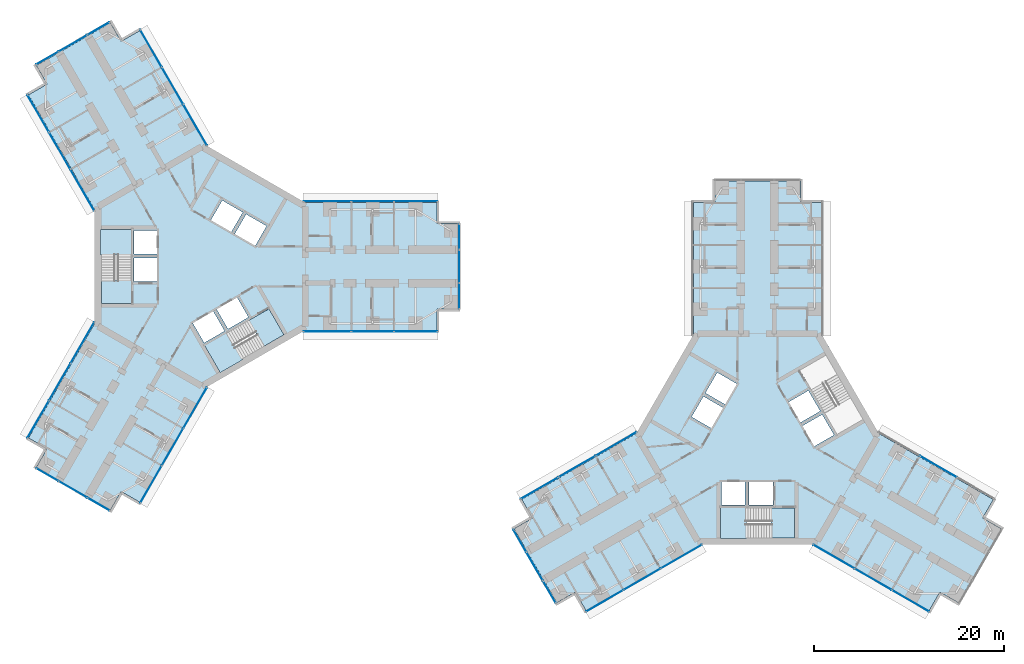
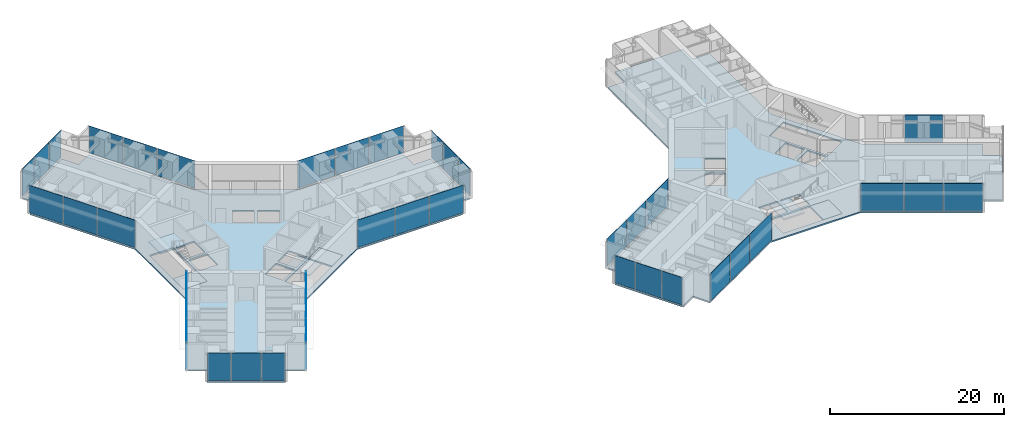
# One storey, part 14 of 24: 40 plates, 8 slabs, 17 elements without a shape of their own.
"""IFC4 building model written with IfcOpenShell, lengths in metres."""

from ifc_helpers import new_model, si_unit, direction, frame, origin, origin_2d, place, context, subcontext, project, spatial, polyline, rectangle, outline, extrude, material, layer, layer_set, type_object, element, aggregate, save


model = new_model("IFC4")

# Units and contexts
model_context = context("Model", 3, precision=1e-05, world=origin(), true_north=direction((0.0, 1.0)))
body_context = subcontext(model_context, "Body", "Model", "MODEL_VIEW")
ifc_project = project(units=[si_unit("LENGTHUNIT", "METRE"), si_unit("AREAUNIT", "SQUARE_METRE"), si_unit("VOLUMEUNIT", "CUBIC_METRE"), si_unit("PLANEANGLEUNIT", "RADIAN"), si_unit("MASSUNIT", "GRAM", prefix="KILO")], contexts=[model_context])

# Site, building, storey
site_placement = place(None, origin())
site = spatial("IfcSite", under=ifc_project, at=site_placement, CompositionType="ELEMENT")
building_placement = place(site_placement, origin())
building = spatial("IfcBuilding", under=site, at=building_placement, Name="Upepo Twin Towers", CompositionType="ELEMENT")
storey_placement = place(building_placement, frame((0.0, 0.0, 68.5)))
storey = spatial("IfcBuildingStorey", under=building, at=storey_placement, Name="L16", CompositionType="ELEMENT", Elevation=68.5)

# Curtain wall, plates
ifc_material_1 = material(Name="Aluminium and fritted glass", Category="aluminium")
curtain_wall_type = type_object("IfcCurtainWallType", Name="Tower curtain wall TW1, fritted glass", PredefinedType="NOTDEFINED", material=ifc_material_1)
curtain_wall_1_placement = place(storey_placement, origin())
curtain_wall_1 = element("IfcCurtainWall", 1, at=curtain_wall_1_placement, inside=storey, type_object=curtain_wall_type, Name="T1 L16 wing A flank L curtain wall", PredefinedType="NOTDEFINED")
ifc_material_2 = material(Name="Ceramic-fritted laminated glass", Category="glass")
ifc_layer_1 = layer(ifc_material_2, 0.031982421875)
ifc_layer_set_1 = layer_set([ifc_layer_1], Name="Fritted glass panel, 25 per cent dot frit, 32 mm double glazed")
plate_type_1 = type_object("IfcPlateType", Name="Fritted glass panel, 25 per cent dot frit, 32 mm double glazed", PredefinedType="CURTAIN_PANEL", material=ifc_layer_set_1)
plate_1_placement = place(storey_placement, frame((13.23486328125, 6.85009765625, 0.14990234375), z_axis=(0.0, 0.0, 1.0), x_axis=(1.0, 0.0, 0.0)))
plate_1 = element("IfcPlate", 2, at=plate_1_placement, type_object=plate_type_1, Name="T1 L16 wing A flank L curtain wall panel 1", PredefinedType="CURTAIN_PANEL", context=body_context, shape_type="SweptSolid", body=[
    extrude(rectangle(XDim=4.96533203125, YDim=0.031982421875, at=origin_2d()), origin(), (0.0, 0.0, 1.0), 3.85009765625),
])
plate_2_placement = place(storey_placement, frame((18.0, 6.85009765625, 0.14990234375), z_axis=(0.0, 0.0, 1.0), x_axis=(1.0, 0.0, 0.0)))
plate_2 = element("IfcPlate", 3, at=plate_2_placement, type_object=plate_type_1, Name="T1 L16 wing A flank L curtain wall panel 2", PredefinedType="CURTAIN_PANEL", context=body_context, shape_type="SweptSolid", body=[
    extrude(rectangle(XDim=4.43505859375, YDim=0.031982421875, at=origin_2d()), origin(), (0.0, 0.0, 1.0), 3.85009765625),
])
plate_3_placement = place(storey_placement, frame((22.53369140625, 6.85009765625, 0.14990234375), z_axis=(0.0, 0.0, 1.0), x_axis=(1.0, 0.0, 0.0)))
plate_3 = element("IfcPlate", 4, at=plate_3_placement, type_object=plate_type_1, Name="T1 L16 wing A flank L curtain wall panel 3", PredefinedType="CURTAIN_PANEL", context=body_context, shape_type="SweptSolid", body=[
    extrude(rectangle(XDim=4.50244140625, YDim=0.031982421875, at=origin_2d()), origin(), (0.0, 0.0, 1.0), 3.85009765625),
])
aggregate(curtain_wall_1, [plate_1, plate_2, plate_3])

curtain_wall_2_placement = place(storey_placement, origin())
curtain_wall_2 = element("IfcCurtainWall", 5, at=curtain_wall_2_placement, inside=storey, type_object=curtain_wall_type, Name="T1 L16 wing A flank R curtain wall", PredefinedType="NOTDEFINED")
plate_4_placement = place(storey_placement, frame((22.53369140625, -6.85009765625, 0.14990234375), z_axis=(0.0, 0.0, 1.0), x_axis=(-1.0, 0.0, 0.0)))
plate_4 = element("IfcPlate", 6, at=plate_4_placement, type_object=plate_type_1, Name="T1 L16 wing A flank R curtain wall panel 1", PredefinedType="CURTAIN_PANEL", context=body_context, shape_type="SweptSolid", body=[
    extrude(rectangle(XDim=4.50244140625, YDim=0.031982421875, at=origin_2d()), origin(), (0.0, 0.0, 1.0), 3.85009765625),
])
plate_5_placement = place(storey_placement, frame((18.0, -6.85009765625, 0.14990234375), z_axis=(0.0, 0.0, 1.0), x_axis=(-1.0, 0.0, 0.0)))
plate_5 = element("IfcPlate", 7, at=plate_5_placement, type_object=plate_type_1, Name="T1 L16 wing A flank R curtain wall panel 2", PredefinedType="CURTAIN_PANEL", context=body_context, shape_type="SweptSolid", body=[
    extrude(rectangle(XDim=4.43505859375, YDim=0.031982421875, at=origin_2d()), origin(), (0.0, 0.0, 1.0), 3.85009765625),
])
plate_6_placement = place(storey_placement, frame((13.23486328125, -6.85009765625, 0.14990234375), z_axis=(0.0, 0.0, 1.0), x_axis=(-1.0, 0.0, 0.0)))
plate_6 = element("IfcPlate", 8, at=plate_6_placement, type_object=plate_type_1, Name="T1 L16 wing A flank R curtain wall panel 3", PredefinedType="CURTAIN_PANEL", context=body_context, shape_type="SweptSolid", body=[
    extrude(rectangle(XDim=4.96533203125, YDim=0.031982421875, at=origin_2d()), origin(), (0.0, 0.0, 1.0), 3.85009765625),
])
aggregate(curtain_wall_2, [plate_4, plate_5, plate_6])

# Curtain wall, plate
curtain_wall_3_placement = place(storey_placement, origin())
curtain_wall_3 = element("IfcCurtainWall", 9, at=curtain_wall_3_placement, inside=storey, type_object=curtain_wall_type, Name="T1 L16 wing A nose curtain wall", PredefinedType="NOTDEFINED")
plate_7_placement = place(storey_placement, frame((27.10009765625, 0.0, 0.14990234375), z_axis=(0.0, 0.0, 1.0), x_axis=(0.0, 1.0, 0.0)))
plate_7 = element("IfcPlate", 10, at=plate_7_placement, type_object=plate_type_1, Name="T1 L16 wing A nose curtain wall panel 2", PredefinedType="CURTAIN_PANEL", context=body_context, shape_type="SweptSolid", body=[
    extrude(rectangle(XDim=3.43505859375, YDim=0.031982421875, at=origin_2d()), origin(), (0.0, 0.0, 1.0), 3.85009765625),
])

# Curtain wall, plates
curtain_wall_4_placement = place(storey_placement, origin())
curtain_wall_4 = element("IfcCurtainWall", 11, at=curtain_wall_4_placement, inside=storey, type_object=curtain_wall_type, Name="T1 L16 wing B flank L curtain wall", PredefinedType="NOTDEFINED")
plate_8_placement = place(storey_placement, frame((-12.549560546875, 8.03662109375, 0.14990234375), z_axis=(0.0, 0.0, 1.0), x_axis=(-0.500000024426, 0.866025389682, 0.0)))
plate_8 = element("IfcPlate", 12, at=plate_8_placement, type_object=plate_type_1, Name="T1 L16 wing B flank L curtain wall panel 1", PredefinedType="CURTAIN_PANEL", context=body_context, shape_type="SweptSolid", body=[
    extrude(rectangle(XDim=4.96533203125, YDim=0.031982421875, at=origin_2d()), origin(), (0.0, 0.0, 1.0), 3.85009765625),
])
plate_9_placement = place(storey_placement, frame((-14.932373046875, 12.16357421875, 0.14990234375), z_axis=(0.0, 0.0, 1.0), x_axis=(-0.500000024426, 0.866025389682, 0.0)))
plate_9 = element("IfcPlate", 13, at=plate_9_placement, type_object=plate_type_1, Name="T1 L16 wing B flank L curtain wall panel 2", PredefinedType="CURTAIN_PANEL", context=body_context, shape_type="SweptSolid", body=[
    extrude(rectangle(XDim=4.43505859375, YDim=0.031982421875, at=origin_2d()), origin(), (0.0, 0.0, 1.0), 3.85009765625),
])
plate_10_placement = place(storey_placement, frame((-17.19921875, 16.08984375, 0.14990234375), z_axis=(0.0, 0.0, 1.0), x_axis=(-0.500000024426, 0.866025389682, 0.0)))
plate_10 = element("IfcPlate", 14, at=plate_10_placement, type_object=plate_type_1, Name="T1 L16 wing B flank L curtain wall panel 3", PredefinedType="CURTAIN_PANEL", context=body_context, shape_type="SweptSolid", body=[
    extrude(rectangle(XDim=4.50244140625, YDim=0.031982421875, at=origin_2d()), origin(), (0.0, 0.0, 1.0), 3.85009765625),
])
aggregate(curtain_wall_4, [plate_8, plate_9, plate_10])

curtain_wall_5_placement = place(storey_placement, origin())
curtain_wall_5 = element("IfcCurtainWall", 15, at=curtain_wall_5_placement, inside=storey, type_object=curtain_wall_type, Name="T1 L16 wing B flank R curtain wall", PredefinedType="NOTDEFINED")
plate_11_placement = place(storey_placement, frame((-5.334716796875, 22.939697265625, 0.14990234375), z_axis=(0.0, 0.0, 1.0), x_axis=(0.500000024426, -0.866025389682, 0.0)))
plate_11 = element("IfcPlate", 16, at=plate_11_placement, type_object=plate_type_1, Name="T1 L16 wing B flank R curtain wall panel 1", PredefinedType="CURTAIN_PANEL", context=body_context, shape_type="SweptSolid", body=[
    extrude(rectangle(XDim=4.50244140625, YDim=0.031982421875, at=origin_2d()), origin(), (0.0, 0.0, 1.0), 3.85009765625),
])
plate_12_placement = place(storey_placement, frame((-3.067626953125, 19.013427734375, 0.14990234375), z_axis=(0.0, 0.0, 1.0), x_axis=(0.500000024426, -0.866025389682, 0.0)))
plate_12 = element("IfcPlate", 17, at=plate_12_placement, type_object=plate_type_1, Name="T1 L16 wing B flank R curtain wall panel 2", PredefinedType="CURTAIN_PANEL", context=body_context, shape_type="SweptSolid", body=[
    extrude(rectangle(XDim=4.43505859375, YDim=0.031982421875, at=origin_2d()), origin(), (0.0, 0.0, 1.0), 3.85009765625),
])
plate_13_placement = place(storey_placement, frame((-0.68505859375, 14.88671875, 0.14990234375), z_axis=(0.0, 0.0, 1.0), x_axis=(0.500000024426, -0.866025389682, 0.0)))
plate_13 = element("IfcPlate", 18, at=plate_13_placement, type_object=plate_type_1, Name="T1 L16 wing B flank R curtain wall panel 3", PredefinedType="CURTAIN_PANEL", context=body_context, shape_type="SweptSolid", body=[
    extrude(rectangle(XDim=4.96533203125, YDim=0.031982421875, at=origin_2d()), origin(), (0.0, 0.0, 1.0), 3.85009765625),
])
aggregate(curtain_wall_5, [plate_11, plate_12, plate_13])

# Curtain wall, plate
curtain_wall_6_placement = place(storey_placement, origin())
curtain_wall_6 = element("IfcCurtainWall", 19, at=curtain_wall_6_placement, inside=storey, type_object=curtain_wall_type, Name="T1 L16 wing B nose curtain wall", PredefinedType="NOTDEFINED")
plate_14_placement = place(storey_placement, frame((-13.550048828125, 23.46923828125, 0.14990234375), z_axis=(0.0, 0.0, 1.0), x_axis=(-0.866025386174, -0.500000030502, 0.0)))
plate_14 = element("IfcPlate", 20, at=plate_14_placement, type_object=plate_type_1, Name="T1 L16 wing B nose curtain wall panel 2", PredefinedType="CURTAIN_PANEL", context=body_context, shape_type="SweptSolid", body=[
    extrude(rectangle(XDim=3.43505859375, YDim=0.031982421875, at=origin_2d()), origin(), (0.0, 0.0, 1.0), 3.85009765625),
])

# Curtain wall, plates
curtain_wall_7_placement = place(storey_placement, origin())
curtain_wall_7 = element("IfcCurtainWall", 21, at=curtain_wall_7_placement, inside=storey, type_object=curtain_wall_type, Name="T1 L16 wing C flank L curtain wall", PredefinedType="NOTDEFINED")
plate_15_placement = place(storey_placement, frame((-0.68505859375, -14.88671875, 0.14990234375), z_axis=(0.0, 0.0, 1.0), x_axis=(-0.500000024426, -0.866025389682, 0.0)))
plate_15 = element("IfcPlate", 22, at=plate_15_placement, type_object=plate_type_1, Name="T1 L16 wing C flank L curtain wall panel 1", PredefinedType="CURTAIN_PANEL", context=body_context, shape_type="SweptSolid", body=[
    extrude(rectangle(XDim=4.96533203125, YDim=0.031982421875, at=origin_2d()), origin(), (0.0, 0.0, 1.0), 3.85009765625),
])
plate_16_placement = place(storey_placement, frame((-3.067626953125, -19.013427734375, 0.14990234375), z_axis=(0.0, 0.0, 1.0), x_axis=(-0.500000024426, -0.866025389682, 0.0)))
plate_16 = element("IfcPlate", 23, at=plate_16_placement, type_object=plate_type_1, Name="T1 L16 wing C flank L curtain wall panel 2", PredefinedType="CURTAIN_PANEL", context=body_context, shape_type="SweptSolid", body=[
    extrude(rectangle(XDim=4.43505859375, YDim=0.031982421875, at=origin_2d()), origin(), (0.0, 0.0, 1.0), 3.85009765625),
])
plate_17_placement = place(storey_placement, frame((-5.334716796875, -22.939697265625, 0.14990234375), z_axis=(0.0, 0.0, 1.0), x_axis=(-0.500000024426, -0.866025389682, 0.0)))
plate_17 = element("IfcPlate", 24, at=plate_17_placement, type_object=plate_type_1, Name="T1 L16 wing C flank L curtain wall panel 3", PredefinedType="CURTAIN_PANEL", context=body_context, shape_type="SweptSolid", body=[
    extrude(rectangle(XDim=4.50244140625, YDim=0.031982421875, at=origin_2d()), origin(), (0.0, 0.0, 1.0), 3.85009765625),
])
aggregate(curtain_wall_7, [plate_15, plate_16, plate_17])

curtain_wall_8_placement = place(storey_placement, origin())
curtain_wall_8 = element("IfcCurtainWall", 25, at=curtain_wall_8_placement, inside=storey, type_object=curtain_wall_type, Name="T1 L16 wing C flank R curtain wall", PredefinedType="NOTDEFINED")
plate_18_placement = place(storey_placement, frame((-17.19921875, -16.08984375, 0.14990234375), z_axis=(0.0, 0.0, 1.0), x_axis=(0.500000024426, 0.866025389682, 0.0)))
plate_18 = element("IfcPlate", 26, at=plate_18_placement, type_object=plate_type_1, Name="T1 L16 wing C flank R curtain wall panel 1", PredefinedType="CURTAIN_PANEL", context=body_context, shape_type="SweptSolid", body=[
    extrude(rectangle(XDim=4.50244140625, YDim=0.031982421875, at=origin_2d()), origin(), (0.0, 0.0, 1.0), 3.85009765625),
])
plate_19_placement = place(storey_placement, frame((-14.932373046875, -12.16357421875, 0.14990234375), z_axis=(0.0, 0.0, 1.0), x_axis=(0.500000024426, 0.866025389682, 0.0)))
plate_19 = element("IfcPlate", 27, at=plate_19_placement, type_object=plate_type_1, Name="T1 L16 wing C flank R curtain wall panel 2", PredefinedType="CURTAIN_PANEL", context=body_context, shape_type="SweptSolid", body=[
    extrude(rectangle(XDim=4.43505859375, YDim=0.031982421875, at=origin_2d()), origin(), (0.0, 0.0, 1.0), 3.85009765625),
])
plate_20_placement = place(storey_placement, frame((-12.549560546875, -8.03662109375, 0.14990234375), z_axis=(0.0, 0.0, 1.0), x_axis=(0.500000024426, 0.866025389682, 0.0)))
plate_20 = element("IfcPlate", 28, at=plate_20_placement, type_object=plate_type_1, Name="T1 L16 wing C flank R curtain wall panel 3", PredefinedType="CURTAIN_PANEL", context=body_context, shape_type="SweptSolid", body=[
    extrude(rectangle(XDim=4.96533203125, YDim=0.031982421875, at=origin_2d()), origin(), (0.0, 0.0, 1.0), 3.85009765625),
])
aggregate(curtain_wall_8, [plate_18, plate_19, plate_20])

# Curtain wall, plate
curtain_wall_9_placement = place(storey_placement, origin())
curtain_wall_9 = element("IfcCurtainWall", 29, at=curtain_wall_9_placement, inside=storey, type_object=curtain_wall_type, Name="T1 L16 wing C nose curtain wall", PredefinedType="NOTDEFINED")
plate_21_placement = place(storey_placement, frame((-13.550048828125, -23.46923828125, 0.14990234375), z_axis=(0.0, 0.0, 1.0), x_axis=(0.866025386174, -0.500000030502, 0.0)))
plate_21 = element("IfcPlate", 30, at=plate_21_placement, type_object=plate_type_1, Name="T1 L16 wing C nose curtain wall panel 2", PredefinedType="CURTAIN_PANEL", context=body_context, shape_type="SweptSolid", body=[
    extrude(rectangle(XDim=3.43505859375, YDim=0.031982421875, at=origin_2d()), origin(), (0.0, 0.0, 1.0), 3.85009765625),
])

# Curtain wall, plates
curtain_wall_10_placement = place(storey_placement, origin())
curtain_wall_10 = element("IfcCurtainWall", 31, at=curtain_wall_10_placement, inside=storey, type_object=curtain_wall_type, Name="T2 L16 wing B flank L curtain wall", PredefinedType="NOTDEFINED")
plate_22_placement = place(storey_placement, frame((50.46337890625, -30.549560546875, 0.14990234375), z_axis=(0.0, 0.0, 1.0), x_axis=(-0.866025389682, -0.500000024426, 0.0)))
plate_22 = element("IfcPlate", 32, at=plate_22_placement, type_object=plate_type_1, Name="T2 L16 wing B flank L curtain wall panel 1", PredefinedType="CURTAIN_PANEL", context=body_context, shape_type="SweptSolid", body=[
    extrude(rectangle(XDim=4.96533203125, YDim=0.031982421875, at=origin_2d()), origin(), (0.0, 0.0, 1.0), 3.85009765625),
])
plate_23_placement = place(storey_placement, frame((46.33642578125, -32.932373046875, 0.14990234375), z_axis=(0.0, 0.0, 1.0), x_axis=(-0.866025389682, -0.500000024426, 0.0)))
plate_23 = element("IfcPlate", 33, at=plate_23_placement, type_object=plate_type_1, Name="T2 L16 wing B flank L curtain wall panel 2", PredefinedType="CURTAIN_PANEL", context=body_context, shape_type="SweptSolid", body=[
    extrude(rectangle(XDim=4.43505859375, YDim=0.031982421875, at=origin_2d()), origin(), (0.0, 0.0, 1.0), 3.85009765625),
])
plate_24_placement = place(storey_placement, frame((42.41015625, -35.19921875, 0.14990234375), z_axis=(0.0, 0.0, 1.0), x_axis=(-0.866025389682, -0.500000024426, 0.0)))
plate_24 = element("IfcPlate", 34, at=plate_24_placement, type_object=plate_type_1, Name="T2 L16 wing B flank L curtain wall panel 3", PredefinedType="CURTAIN_PANEL", context=body_context, shape_type="SweptSolid", body=[
    extrude(rectangle(XDim=4.50244140625, YDim=0.031982421875, at=origin_2d()), origin(), (0.0, 0.0, 1.0), 3.85009765625),
])
aggregate(curtain_wall_10, [plate_22, plate_23, plate_24])

curtain_wall_11_placement = place(storey_placement, origin())
curtain_wall_11 = element("IfcCurtainWall", 35, at=curtain_wall_11_placement, inside=storey, type_object=curtain_wall_type, Name="T2 L16 wing B flank R curtain wall", PredefinedType="NOTDEFINED")
plate_25_placement = place(storey_placement, frame((35.560302734375, -23.334716796875, 0.14990234375), z_axis=(0.0, 0.0, 1.0), x_axis=(0.866025389682, 0.500000024426, 0.0)))
plate_25 = element("IfcPlate", 36, at=plate_25_placement, type_object=plate_type_1, Name="T2 L16 wing B flank R curtain wall panel 1", PredefinedType="CURTAIN_PANEL", context=body_context, shape_type="SweptSolid", body=[
    extrude(rectangle(XDim=4.50244140625, YDim=0.031982421875, at=origin_2d()), origin(), (0.0, 0.0, 1.0), 3.85009765625),
])
plate_26_placement = place(storey_placement, frame((39.486572265625, -21.067626953125, 0.14990234375), z_axis=(0.0, 0.0, 1.0), x_axis=(0.866025389682, 0.500000024426, 0.0)))
plate_26 = element("IfcPlate", 37, at=plate_26_placement, type_object=plate_type_1, Name="T2 L16 wing B flank R curtain wall panel 2", PredefinedType="CURTAIN_PANEL", context=body_context, shape_type="SweptSolid", body=[
    extrude(rectangle(XDim=4.43505859375, YDim=0.031982421875, at=origin_2d()), origin(), (0.0, 0.0, 1.0), 3.85009765625),
])
plate_27_placement = place(storey_placement, frame((43.61328125, -18.68505859375, 0.14990234375), z_axis=(0.0, 0.0, 1.0), x_axis=(0.866025389682, 0.500000024426, 0.0)))
plate_27 = element("IfcPlate", 38, at=plate_27_placement, type_object=plate_type_1, Name="T2 L16 wing B flank R curtain wall panel 3", PredefinedType="CURTAIN_PANEL", context=body_context, shape_type="SweptSolid", body=[
    extrude(rectangle(XDim=4.96533203125, YDim=0.031982421875, at=origin_2d()), origin(), (0.0, 0.0, 1.0), 3.85009765625),
])
aggregate(curtain_wall_11, [plate_25, plate_26, plate_27])

# Curtain wall, plate
curtain_wall_12_placement = place(storey_placement, origin())
curtain_wall_12 = element("IfcCurtainWall", 39, at=curtain_wall_12_placement, inside=storey, type_object=curtain_wall_type, Name="T2 L16 wing B nose curtain wall", PredefinedType="NOTDEFINED")
plate_28_placement = place(storey_placement, frame((35.03076171875, -31.550048828125, 0.14990234375), z_axis=(0.0, 0.0, 1.0), x_axis=(0.500000030502, -0.866025386174, 0.0)))
plate_28 = element("IfcPlate", 40, at=plate_28_placement, type_object=plate_type_1, Name="T2 L16 wing B nose curtain wall panel 2", PredefinedType="CURTAIN_PANEL", context=body_context, shape_type="SweptSolid", body=[
    extrude(rectangle(XDim=3.43505859375, YDim=0.031982421875, at=origin_2d()), origin(), (0.0, 0.0, 1.0), 3.85009765625),
])

curtain_wall_13_placement = place(storey_placement, origin())
curtain_wall_13 = element("IfcCurtainWall", 41, at=curtain_wall_13_placement, inside=storey, type_object=curtain_wall_type, Name="T2 L16 wing C flank L curtain wall", PredefinedType="NOTDEFINED")
plate_29_placement = place(storey_placement, frame((77.513427734375, -21.067626953125, 0.14990234375), z_axis=(0.0, 0.0, 1.0), x_axis=(0.866025389682, -0.500000024426, 0.0)))
plate_29 = element("IfcPlate", 42, at=plate_29_placement, type_object=plate_type_1, Name="T2 L16 wing C flank L curtain wall panel 2", PredefinedType="CURTAIN_PANEL", context=body_context, shape_type="SweptSolid", body=[
    extrude(rectangle(XDim=4.43505859375, YDim=0.031982421875, at=origin_2d()), origin(), (0.0, 0.0, 1.0), 3.85009765625),
])
aggregate(curtain_wall_13, [plate_29])

# Curtain wall, plates
curtain_wall_14_placement = place(storey_placement, origin())
curtain_wall_14 = element("IfcCurtainWall", 43, at=curtain_wall_14_placement, inside=storey, type_object=curtain_wall_type, Name="T2 L16 wing C flank R curtain wall", PredefinedType="NOTDEFINED")
plate_30_placement = place(storey_placement, frame((74.58984375, -35.19921875, 0.14990234375), z_axis=(0.0, 0.0, 1.0), x_axis=(-0.866025389682, 0.500000024426, 0.0)))
plate_30 = element("IfcPlate", 44, at=plate_30_placement, type_object=plate_type_1, Name="T2 L16 wing C flank R curtain wall panel 1", PredefinedType="CURTAIN_PANEL", context=body_context, shape_type="SweptSolid", body=[
    extrude(rectangle(XDim=4.50244140625, YDim=0.031982421875, at=origin_2d()), origin(), (0.0, 0.0, 1.0), 3.85009765625),
])
plate_31_placement = place(storey_placement, frame((70.66357421875, -32.932373046875, 0.14990234375), z_axis=(0.0, 0.0, 1.0), x_axis=(-0.866025389682, 0.500000024426, 0.0)))
plate_31 = element("IfcPlate", 45, at=plate_31_placement, type_object=plate_type_1, Name="T2 L16 wing C flank R curtain wall panel 2", PredefinedType="CURTAIN_PANEL", context=body_context, shape_type="SweptSolid", body=[
    extrude(rectangle(XDim=4.43505859375, YDim=0.031982421875, at=origin_2d()), origin(), (0.0, 0.0, 1.0), 3.85009765625),
])
plate_32_placement = place(storey_placement, frame((66.53662109375, -30.549560546875, 0.14990234375), z_axis=(0.0, 0.0, 1.0), x_axis=(-0.866025389682, 0.500000024426, 0.0)))
plate_32 = element("IfcPlate", 46, at=plate_32_placement, type_object=plate_type_1, Name="T2 L16 wing C flank R curtain wall panel 3", PredefinedType="CURTAIN_PANEL", context=body_context, shape_type="SweptSolid", body=[
    extrude(rectangle(XDim=4.96533203125, YDim=0.031982421875, at=origin_2d()), origin(), (0.0, 0.0, 1.0), 3.85009765625),
])
aggregate(curtain_wall_14, [plate_30, plate_31, plate_32])

# Plate
ifc_material_3 = material(Name="Clear laminated glass in opening sash", Category="glass")
ifc_layer_2 = layer(ifc_material_3, 0.031982421875)
ifc_layer_set_2 = layer_set([ifc_layer_2], Name="Operable glass panel, 32 mm double glazed")
plate_type_2 = type_object("IfcPlateType", Name="Operable glass panel, 32 mm double glazed", PredefinedType="CURTAIN_PANEL", material=ifc_layer_set_2)
plate_33_placement = place(storey_placement, frame((27.10009765625, -3.108642578125, 0.14990234375), z_axis=(0.0, 0.0, 1.0), x_axis=(0.0, 1.0, 0.0)))
plate_33 = element("IfcPlate", 47, at=plate_33_placement, type_object=plate_type_2, Name="T1 L16 wing A nose curtain wall panel 1", PredefinedType="CURTAIN_PANEL", context=body_context, shape_type="SweptSolid", body=[
    extrude(rectangle(XDim=2.652587890625, YDim=0.031982421875, at=origin_2d()), origin(), (0.0, 0.0, 1.0), 3.85009765625),
])

plate_34_placement = place(storey_placement, frame((27.10009765625, 3.108642578125, 0.14990234375), z_axis=(0.0, 0.0, 1.0), x_axis=(0.0, 1.0, 0.0)))
plate_34 = element("IfcPlate", 48, at=plate_34_placement, type_object=plate_type_2, Name="T1 L16 wing A nose curtain wall panel 3", PredefinedType="CURTAIN_PANEL", context=body_context, shape_type="SweptSolid", body=[
    extrude(rectangle(XDim=2.652587890625, YDim=0.031982421875, at=origin_2d()), origin(), (0.0, 0.0, 1.0), 3.85009765625),
])

aggregate(curtain_wall_3, [plate_33, plate_7, plate_34])

plate_35_placement = place(storey_placement, frame((-10.857666015625, 25.023681640625, 0.14990234375), z_axis=(0.0, 0.0, 1.0), x_axis=(-0.866025386174, -0.500000030502, 0.0)))
plate_35 = element("IfcPlate", 49, at=plate_35_placement, type_object=plate_type_2, Name="T1 L16 wing B nose curtain wall panel 1", PredefinedType="CURTAIN_PANEL", context=body_context, shape_type="SweptSolid", body=[
    extrude(rectangle(XDim=2.652587890625, YDim=0.031982421875, at=origin_2d()), origin(), (0.0, 0.0, 1.0), 3.85009765625),
])

plate_36_placement = place(storey_placement, frame((-16.2421875, 21.914794921875, 0.14990234375), z_axis=(0.0, 0.0, 1.0), x_axis=(-0.866025386174, -0.500000030502, 0.0)))
plate_36 = element("IfcPlate", 50, at=plate_36_placement, type_object=plate_type_2, Name="T1 L16 wing B nose curtain wall panel 3", PredefinedType="CURTAIN_PANEL", context=body_context, shape_type="SweptSolid", body=[
    extrude(rectangle(XDim=2.652587890625, YDim=0.031982421875, at=origin_2d()), origin(), (0.0, 0.0, 1.0), 3.85009765625),
])

aggregate(curtain_wall_6, [plate_35, plate_14, plate_36])

plate_37_placement = place(storey_placement, frame((-16.2421875, -21.914794921875, 0.14990234375), z_axis=(0.0, 0.0, 1.0), x_axis=(0.866025386174, -0.500000030502, 0.0)))
plate_37 = element("IfcPlate", 51, at=plate_37_placement, type_object=plate_type_2, Name="T1 L16 wing C nose curtain wall panel 1", PredefinedType="CURTAIN_PANEL", context=body_context, shape_type="SweptSolid", body=[
    extrude(rectangle(XDim=2.652587890625, YDim=0.031982421875, at=origin_2d()), origin(), (0.0, 0.0, 1.0), 3.85009765625),
])

plate_38_placement = place(storey_placement, frame((-10.857666015625, -25.023681640625, 0.14990234375), z_axis=(0.0, 0.0, 1.0), x_axis=(0.866025386174, -0.500000030502, 0.0)))
plate_38 = element("IfcPlate", 52, at=plate_38_placement, type_object=plate_type_2, Name="T1 L16 wing C nose curtain wall panel 3", PredefinedType="CURTAIN_PANEL", context=body_context, shape_type="SweptSolid", body=[
    extrude(rectangle(XDim=2.652587890625, YDim=0.031982421875, at=origin_2d()), origin(), (0.0, 0.0, 1.0), 3.85009765625),
])

aggregate(curtain_wall_9, [plate_37, plate_21, plate_38])

plate_39_placement = place(storey_placement, frame((33.476318359375, -28.857666015625, 0.14990234375), z_axis=(0.0, 0.0, 1.0), x_axis=(0.500000030502, -0.866025386174, 0.0)))
plate_39 = element("IfcPlate", 53, at=plate_39_placement, type_object=plate_type_2, Name="T2 L16 wing B nose curtain wall panel 1", PredefinedType="CURTAIN_PANEL", context=body_context, shape_type="SweptSolid", body=[
    extrude(rectangle(XDim=2.652587890625, YDim=0.031982421875, at=origin_2d()), origin(), (0.0, 0.0, 1.0), 3.85009765625),
])

plate_40_placement = place(storey_placement, frame((36.585205078125, -34.2421875, 0.14990234375), z_axis=(0.0, 0.0, 1.0), x_axis=(0.500000030502, -0.866025386174, 0.0)))
plate_40 = element("IfcPlate", 54, at=plate_40_placement, type_object=plate_type_2, Name="T2 L16 wing B nose curtain wall panel 3", PredefinedType="CURTAIN_PANEL", context=body_context, shape_type="SweptSolid", body=[
    extrude(rectangle(XDim=2.652587890625, YDim=0.031982421875, at=origin_2d()), origin(), (0.0, 0.0, 1.0), 3.85009765625),
])

aggregate(curtain_wall_12, [plate_39, plate_28, plate_40])

# Stair, slabs
ifc_material_4 = material(Name="Concrete C40/50", Category="concrete")
stair_type = type_object("IfcStairType", Name="Core stair, two flights", PredefinedType="HALF_TURN_STAIR", material=ifc_material_4)
stair_1_placement = place(storey_placement, origin())
stair_1 = element("IfcStair", 55, at=stair_1_placement, inside=storey, type_object=stair_type, Name="T1 stair S1 L16", PredefinedType="HALF_TURN_STAIR")
ifc_material_5 = material(Name="Concrete C40/50", Category="concrete")
ifc_layer_3 = layer(ifc_material_5, 0.199951171875)
ifc_layer_set_3 = layer_set([ifc_layer_3], Name="Concrete C40/50")
slab_type_1 = type_object("IfcSlabType", Name="Stair landing 200 RC", PredefinedType="LANDING", material=ifc_layer_set_3)
slab_1_placement = place(storey_placement, frame((0.0, 0.0, -0.199951171875)))
slab_1 = element("IfcSlab", 56, at=slab_1_placement, type_object=slab_type_1, Name="Stair S1 landing 1", PredefinedType="LANDING", context=body_context, shape_type="SweptSolid", body=[
    extrude(outline(polyline([(-7.39990234375, -1.419921875), (-10.558349609375, -1.419921875), (-10.558349609375, -3.89990234375), (-7.39990234375, -3.89990234375), (-7.39990234375, -1.419921875)])), origin(), (0.0, 0.0, 1.0), 0.199951171875),
])
slab_2_placement = place(storey_placement, frame((0.0, 0.0, 1.800048828125)))
slab_2 = element("IfcSlab", 57, at=slab_2_placement, type_object=slab_type_1, Name="Stair S1 landing 2", PredefinedType="LANDING", context=body_context, shape_type="SweptSolid", body=[
    extrude(outline(polyline([(-7.300048828125, 3.89990234375), (-10.658447265625, 3.89990234375), (-10.658447265625, 1.179931640625), (-7.300048828125, 1.179931640625), (-7.300048828125, 3.89990234375)])), origin(), (0.0, 0.0, 1.0), 0.199951171875),
])
aggregate(stair_1, [slab_1, slab_2])

stair_2_placement = place(storey_placement, origin())
stair_2 = element("IfcStair", 58, at=stair_2_placement, inside=storey, type_object=stair_type, Name="T1 stair S2 L16", PredefinedType="HALF_TURN_STAIR")
slab_3_placement = place(storey_placement, frame((0.0, 0.0, -0.199951171875)))
slab_3 = element("IfcSlab", 59, at=slab_3_placement, type_object=slab_type_1, Name="Stair S2 landing 1", PredefinedType="LANDING", context=body_context, shape_type="SweptSolid", body=[
    extrude(outline(polyline([(4.9296875, -5.698486328125), (6.509033203125, -8.433837890625), (8.65673828125, -7.19384765625), (7.077392578125, -4.45849609375), (4.9296875, -5.698486328125)])), origin(), (0.0, 0.0, 1.0), 0.199951171875),
])
slab_4_placement = place(storey_placement, frame((0.0, 0.0, 1.800048828125)))
slab_4 = element("IfcSlab", 60, at=slab_4_placement, type_object=slab_type_1, Name="Stair S2 landing 2", PredefinedType="LANDING", context=body_context, shape_type="SweptSolid", body=[
    extrude(outline(polyline([(0.2724609375, -8.27197265625), (1.95166015625, -11.180419921875), (4.307373046875, -9.8203125), (2.628173828125, -6.911865234375), (0.2724609375, -8.27197265625)])), origin(), (0.0, 0.0, 1.0), 0.199951171875),
])
aggregate(stair_2, [slab_3, slab_4])

stair_3_placement = place(storey_placement, origin())
stair_3 = element("IfcStair", 61, at=stair_3_placement, inside=storey, type_object=stair_type, Name="T2 stair S1 L16", PredefinedType="HALF_TURN_STAIR")
slab_5_placement = place(storey_placement, frame((0.0, 0.0, -0.199951171875)))
slab_5 = element("IfcSlab", 62, at=slab_5_placement, type_object=slab_type_1, Name="Stair S1 landing 1", PredefinedType="LANDING", context=body_context, shape_type="SweptSolid", body=[
    extrude(outline(polyline([(59.919921875, -25.39990234375), (59.919921875, -28.558349609375), (62.39990234375, -28.558349609375), (62.39990234375, -25.39990234375), (59.919921875, -25.39990234375)])), origin(), (0.0, 0.0, 1.0), 0.199951171875),
])
slab_6_placement = place(storey_placement, frame((0.0, 0.0, 1.800048828125)))
slab_6 = element("IfcSlab", 63, at=slab_6_placement, type_object=slab_type_1, Name="Stair S1 landing 2", PredefinedType="LANDING", context=body_context, shape_type="SweptSolid", body=[
    extrude(outline(polyline([(54.60009765625, -25.300048828125), (54.60009765625, -28.658447265625), (57.320068359375, -28.658447265625), (57.320068359375, -25.300048828125), (54.60009765625, -25.300048828125)])), origin(), (0.0, 0.0, 1.0), 0.199951171875),
])
aggregate(stair_3, [slab_5, slab_6])

# Slabs
ifc_material_6 = material(Name="Concrete C40/50", Category="concrete")
ifc_layer_4 = layer(ifc_material_6, 0.199951171875)
ifc_layer_set_4 = layer_set([ifc_layer_4], Name="Concrete C40/50")
slab_type_2 = type_object("IfcSlabType", Name="Tower floor slab 200 RC", PredefinedType="FLOOR", material=ifc_layer_set_4)
slab_7_placement = place(storey_placement, frame((0.0, 0.0, -0.199951171875)))
element("IfcSlab", 64, at=slab_7_placement, inside=storey, type_object=slab_type_2, Name="T1 L16 floor slab", PredefinedType="FLOOR", context=body_context, shape_type="SweptSolid", body=[
    extrude(outline(polyline([(-8.477783203125, -23.68408203125), (-9.602783203125, -25.632568359375), (-17.397216796875, -21.132568359375), (-16.272216796875, -19.18408203125), (-18.220703125, -18.05908203125), (-11.25830078125, -6.0), (-11.25830078125, 6.0), (-18.220703125, 18.05908203125), (-16.272216796875, 19.18408203125), (-17.397216796875, 21.132568359375), (-9.602783203125, 25.632568359375), (-8.477783203125, 23.68408203125), (-6.529296875, 24.80908203125), (0.43310546875, 12.75), (10.825439453125, 6.75), (24.75, 6.75), (24.75, 4.5), (27.0, 4.5), (27.0, -4.5), (24.75, -4.5), (24.75, -6.75), (10.825439453125, -6.75), (0.43310546875, -12.75), (-6.529296875, -24.80908203125), (-8.477783203125, -23.68408203125)]), holes=[polyline([(5.640869140625, 2.17041015625), (6.8408203125, 4.248779296875), (4.67578125, 5.498779296875), (3.475830078125, 3.42041015625), (5.640869140625, 2.17041015625)]), polyline([(3.12939453125, 3.620361328125), (4.329345703125, 5.69873046875), (2.164306640625, 6.94873046875), (0.96435546875, 4.870361328125), (3.12939453125, 3.620361328125)]), polyline([(-4.699951171875, 3.800048828125), (-7.10009765625, 3.800048828125), (-7.10009765625, 1.300048828125), (-4.699951171875, 1.300048828125), (-4.699951171875, 3.800048828125)]), polyline([(-4.699951171875, 0.89990234375), (-7.10009765625, 0.89990234375), (-7.10009765625, -1.60009765625), (-4.699951171875, -1.60009765625), (-4.699951171875, 0.89990234375)]), polyline([(-7.39990234375, 3.89990234375), (-10.558349609375, 3.89990234375), (-10.558349609375, -3.89990234375), (-7.39990234375, -3.89990234375), (-7.39990234375, 3.89990234375)]), polyline([(-0.94091796875, -5.97021484375), (0.259033203125, -8.048828125), (2.424072265625, -6.798828125), (1.22412109375, -4.72021484375), (-0.94091796875, -5.97021484375)]), polyline([(1.570556640625, -4.520263671875), (2.7705078125, -6.598876953125), (4.935546875, -5.348876953125), (3.735595703125, -3.270263671875), (1.570556640625, -4.520263671875)]), polyline([(0.322509765625, -8.358642578125), (1.901611328125, -11.09375), (8.65673828125, -7.19384765625), (7.077392578125, -4.45849609375), (0.322509765625, -8.358642578125)])]), origin(), (0.0, 0.0, 1.0), 0.199951171875),
])
slab_8_placement = place(storey_placement, frame((0.0, 0.0, -0.199951171875)))
element("IfcSlab", 65, at=slab_8_placement, inside=storey, type_object=slab_type_2, Name="T2 L16 floor slab", PredefinedType="FLOOR", context=body_context, shape_type="SweptSolid", body=[
    extrude(outline(polyline([(82.18408203125, -26.477783203125), (84.132568359375, -27.602783203125), (79.632568359375, -35.397216796875), (77.68408203125, -34.272216796875), (76.55908203125, -36.220703125), (64.5, -29.25830078125), (52.5, -29.25830078125), (40.44091796875, -36.220703125), (39.31591796875, -34.272216796875), (37.367431640625, -35.397216796875), (32.867431640625, -27.602783203125), (34.81591796875, -26.477783203125), (33.69091796875, -24.529296875), (45.75, -17.56689453125), (51.75, -7.174560546875), (51.75, 6.75), (54.0, 6.75), (54.0, 9.0), (63.0, 9.0), (63.0, 6.75), (65.25, 6.75), (65.25, -7.174560546875), (71.25, -17.56689453125), (83.30908203125, -24.529296875), (82.18408203125, -26.477783203125)]), holes=[polyline([(56.32958984375, -12.359130859375), (54.251220703125, -11.1591796875), (53.001220703125, -13.32421875), (55.07958984375, -14.524169921875), (56.32958984375, -12.359130859375)]), polyline([(54.879638671875, -14.87060546875), (52.80126953125, -13.670654296875), (51.55126953125, -15.835693359375), (53.629638671875, -17.03564453125), (54.879638671875, -14.87060546875)]), polyline([(54.699951171875, -22.699951171875), (54.699951171875, -25.10009765625), (57.199951171875, -25.10009765625), (57.199951171875, -22.699951171875), (54.699951171875, -22.699951171875)]), polyline([(57.60009765625, -22.699951171875), (57.60009765625, -25.10009765625), (60.10009765625, -25.10009765625), (60.10009765625, -22.699951171875), (57.60009765625, -22.699951171875)]), polyline([(54.60009765625, -25.39990234375), (54.60009765625, -28.558349609375), (62.39990234375, -28.558349609375), (62.39990234375, -25.39990234375), (54.60009765625, -25.39990234375)]), polyline([(64.47021484375, -18.94091796875), (66.548828125, -17.740966796875), (65.298828125, -15.575927734375), (63.22021484375, -16.77587890625), (64.47021484375, -18.94091796875)]), polyline([(63.020263671875, -16.429443359375), (65.098876953125, -15.2294921875), (63.848876953125, -13.064453125), (61.770263671875, -14.264404296875), (63.020263671875, -16.429443359375)]), polyline([(66.858642578125, -17.677490234375), (69.59375, -16.098388671875), (65.69384765625, -9.34326171875), (62.95849609375, -10.922607421875), (66.858642578125, -17.677490234375)])]), origin(), (0.0, 0.0, 1.0), 0.199951171875),
])

save(model, "model.ifc")
